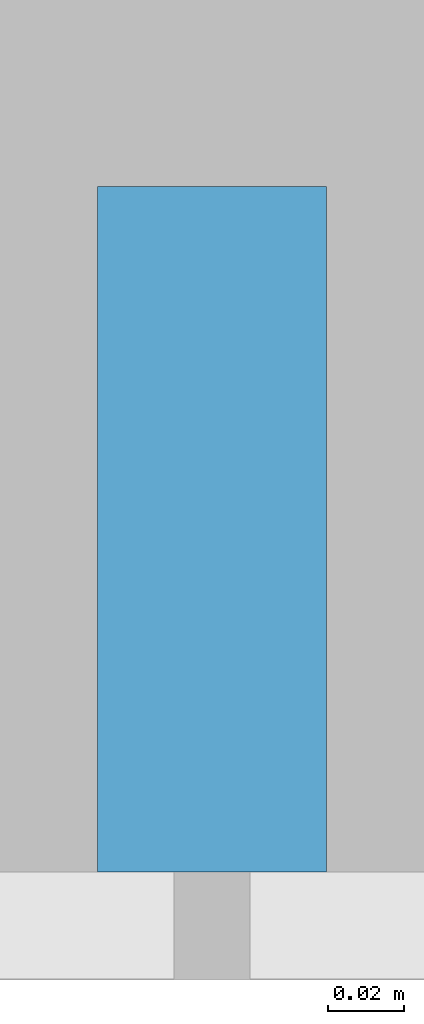
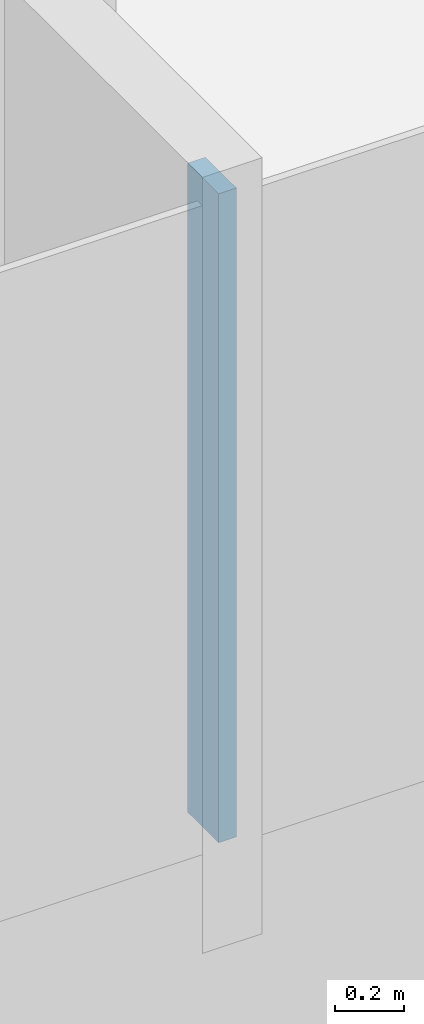
# One storey, part 3 of 26: 1 member, 1 element without a shape of its own.
"""IFC4 building model written with IfcOpenShell, lengths in metres."""

from ifc_helpers import new_model, si_unit, direction, frame, origin, origin_2d, place, context, subcontext, project, spatial, rectangle, extrude, material, layer, layer_set, material_profile, profile_set, type_object, element, aggregate, save


model = new_model("IFC4")

# Units and contexts
model_context = context("Model", 3, precision=1e-05, world=origin(), true_north=direction((0.0, 1.0)))
body_context = subcontext(model_context, "Body", "Model", "MODEL_VIEW")
ifc_project = project(units=[si_unit("LENGTHUNIT", "METRE"), si_unit("AREAUNIT", "SQUARE_METRE"), si_unit("VOLUMEUNIT", "CUBIC_METRE"), si_unit("PLANEANGLEUNIT", "RADIAN"), si_unit("MASSUNIT", "GRAM", prefix="KILO")], contexts=[model_context])

# Site, building, storey
site_placement = place(None, origin())
site = spatial("IfcSite", under=ifc_project, at=site_placement, CompositionType="ELEMENT")
building_placement = place(site_placement, origin())
building = spatial("IfcBuilding", under=site, at=building_placement, Name="Hakoniwa Tower and Hamabe Station Hall", CompositionType="ELEMENT")
storey_placement = place(building_placement, frame((0.0, 0.0, 212.199951171875)))
storey = spatial("IfcBuildingStorey", under=building, at=storey_placement, Name="L60", CompositionType="ELEMENT", Elevation=212.199951171875)

# Curtain wall, member
ifc_material_1 = material(Name="Dark low-e laminated glass", Category="glass")
ifc_layer = layer(ifc_material_1, 0.199951171875)
ifc_layer_set = layer_set([ifc_layer], Name="CW-1 UNITISED GUEST")
curtain_wall_type = type_object("IfcCurtainWallType", Name="CW-1 UNITISED GUEST", PredefinedType="NOTDEFINED", material=ifc_layer_set)
curtain_wall_placement = place(storey_placement, origin())
curtain_wall = element("IfcCurtainWall", 1, at=curtain_wall_placement, inside=storey, type_object=curtain_wall_type, Name="CW-1 curtain wall", PredefinedType="NOTDEFINED")
ifc_material_2 = material(Name="Aluminium 6063-T5 black anodised", Category="aluminium")
ifc_material_profile = material_profile(ifc_material_2, rectangle(XDim=0.06005859375, YDim=0.179931640625, at=origin_2d()), Name="CW-1 MULLION 60X180")
ifc_profile_set = profile_set([ifc_material_profile], Name="Aluminium 6063-T5 black anodised")
member_type = type_object("IfcMemberType", Name="CW-1 MULLION 60X180", PredefinedType="MULLION", material=ifc_profile_set)
member_placement = place(storey_placement, frame((0.0, -15.431884765625, 0.35009765625), z_axis=(0.0, 0.0, 1.0), x_axis=(1.0, 0.0, 0.0)))
member = element("IfcMember", 2, at=member_placement, type_object=member_type, Name="CW-1 mullion", PredefinedType="MULLION", context=body_context, shape_type="SweptSolid", body=[
    extrude(rectangle(XDim=0.06005859375, YDim=0.179931640625, at=origin_2d()), origin(), (0.0, 0.0, 1.0), 2.300048828125),
])
aggregate(curtain_wall, [member])

save(model, "model.ifc")
